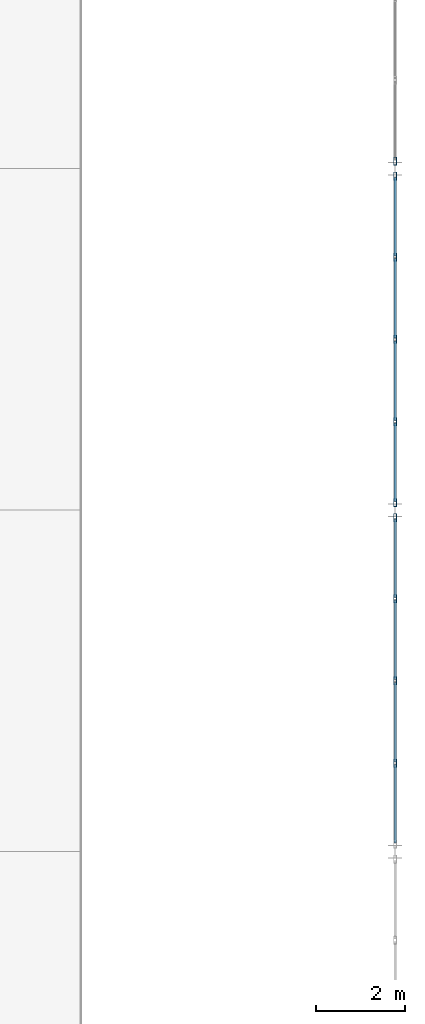
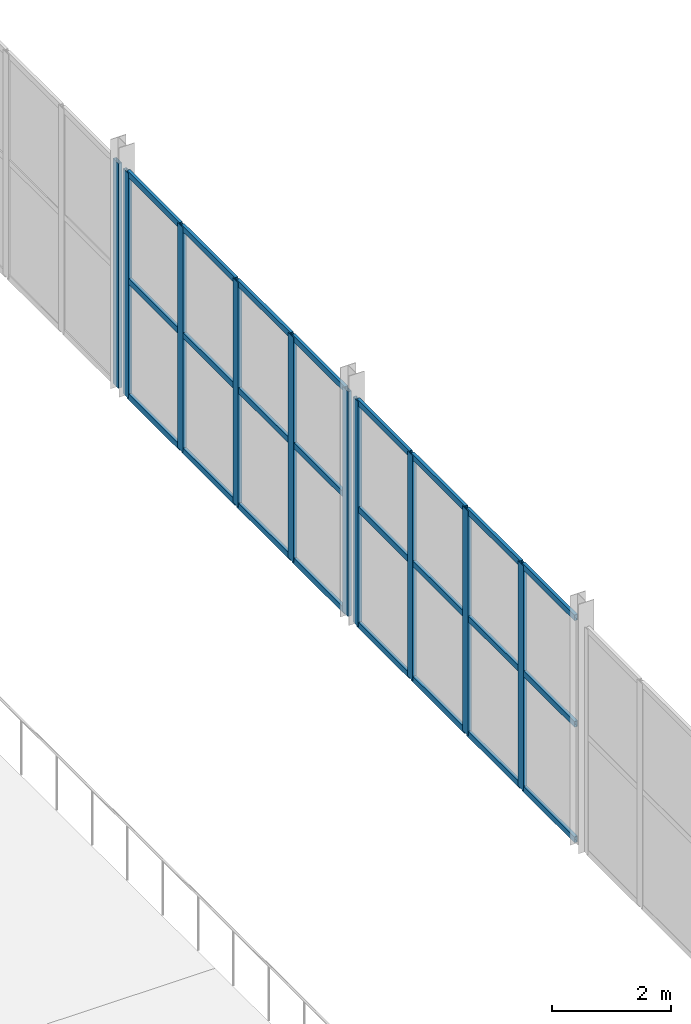
# One storey, part 135 of 218: 34 members, 3 elements without a shape of their own.
"""IFC4 building model written with IfcOpenShell, lengths in metres."""

import ifcopenshell
import ifcopenshell.guid

model = None  # the IFC model being written
_history = None  # IfcOwnerHistory: only IFC2X3 demands one
_inside = {}  # id of a spatial element -> (the spatial element, [elements in it])
_under = {}  # id of a project, library or spatial element -> (it, [spatial elements below it])
_declared = {}  # id of a project -> (the project, [libraries it declares])
_typed = {}  # id of a type object -> (the type object, [elements of that type])
_made_of = {}  # id of a material, layer set ... -> (it, [elements and type objects made of it])


def new_model(schema):
    """Start an empty IFC model of exactly this schema.

    Asked for "IFC4X3", IfcOpenShell would pick the latest addendum, in which some entities
    have other attributes; the version numbers below select the first issue.
    IFC2X3 requires an IfcOwnerHistory on every rooted entity: one is made here for all.
    """
    global model, _history
    if schema == "IFC4X3":
        model = ifcopenshell.file(schema_version=(4, 3, 0, 0))
    else:
        model = ifcopenshell.file(schema=schema)
    _inside.clear()
    _under.clear()
    _declared.clear()
    _typed.clear()
    _made_of.clear()
    _history = None
    if model.schema == "IFC2X3":
        org = make("IfcOrganization", Name="unknown")
        user = make(
            "IfcPersonAndOrganization",
            ThePerson=make("IfcPerson", FamilyName="unknown"),
            TheOrganization=org,
        )
        app = make(
            "IfcApplication",
            ApplicationDeveloper=org,
            Version="unknown",
            ApplicationFullName="unknown",
            ApplicationIdentifier="unknown",
        )
        _history = make(
            "IfcOwnerHistory",
            OwningUser=user,
            OwningApplication=app,
            ChangeAction="ADDED",
            CreationDate=0,
        )
    return model


def make(cls, **values):
    """One entity of the class cls with the attributes given. An attribute that is None is left unset."""
    return model.create_entity(
        cls, **{name: value for name, value in values.items() if value is not None}
    )


def rooted(cls, **values):
    """An entity with a GlobalId (a new one), such as an element, a storey or a relation."""
    return make(cls, GlobalId=ifcopenshell.guid.new(), OwnerHistory=_history, **values)


def si_unit(unit_type, name, prefix=None):
    """IfcSIUnit, for example si_unit("LENGTHUNIT", "METRE", prefix="MILLI")."""
    return make("IfcSIUnit", UnitType=unit_type, Prefix=prefix, Name=name)


def assignment(units):
    """IfcUnitAssignment: the units of a project."""
    return None if units is None else make("IfcUnitAssignment", Units=units)


def point(xyz):
    """IfcCartesianPoint."""
    return None if xyz is None else make("IfcCartesianPoint", Coordinates=xyz)


def direction(xyz):
    """IfcDirection."""
    return None if xyz is None else make("IfcDirection", DirectionRatios=xyz)


def frame(location, z_axis=None, x_axis=None):
    """IfcAxis2Placement3D, a coordinate frame: its origin and axes. An axis left out is left unset."""
    return make(
        "IfcAxis2Placement3D",
        Location=point(location),
        Axis=direction(z_axis),
        RefDirection=direction(x_axis),
    )


def frame_2d(location, x_axis=None):
    """IfcAxis2Placement2D, a coordinate frame in the plane: its origin and x axis."""
    return make(
        "IfcAxis2Placement2D", Location=point(location), RefDirection=direction(x_axis)
    )


def origin():
    """The frame at (0, 0, 0) with its axes left unset."""
    return frame((0.0, 0.0, 0.0))


def origin_2d():
    """The frame at (0, 0) in the plane with its x axis left unset."""
    return frame_2d((0.0, 0.0))


def place(relative_to, where):
    """IfcLocalPlacement: puts the frame where relative to a parent placement (None: the world)."""
    return make(
        "IfcLocalPlacement", PlacementRelTo=relative_to, RelativePlacement=where
    )


def context(
    kind, dimensions, precision=None, world=None, true_north=None, identifier=None
):
    """IfcGeometricRepresentationContext, for example the 3D "Model" context."""
    return make(
        "IfcGeometricRepresentationContext",
        ContextIdentifier=identifier,
        ContextType=kind,
        CoordinateSpaceDimension=dimensions,
        Precision=precision,
        WorldCoordinateSystem=world,
        TrueNorth=true_north,
    )


def subcontext(parent, identifier, kind, view, scale=None):
    """IfcGeometricRepresentationSubContext, for example "Body" below "Model"."""
    return make(
        "IfcGeometricRepresentationSubContext",
        ContextIdentifier=identifier,
        ContextType=kind,
        ParentContext=parent,
        TargetScale=scale,
        TargetView=view,
    )


def project(units=None, contexts=None):
    """IfcProject with its units and contexts."""
    return rooted(
        "IfcProject",
        Name="project",
        RepresentationContexts=contexts,
        UnitsInContext=assignment(units),
    )


def spatial(cls, under=None, at=None, **own):
    """A site, building, storey or space (cls), placed at a placement, below another one or the project."""
    s = rooted(cls, ObjectPlacement=at, **own)
    if under is not None:
        _under.setdefault(under.id(), (under, []))[1].append(s)
    return s


def profile(cls, at=None, kind="AREA", **sizes):
    """A parametric profile (cls). Its sizes go by their IFC names, for example OverallWidth=200.0."""
    return make(cls, ProfileType=kind, Position=at, **sizes)


def hollow_rectangle(**sizes):
    """IfcRectangleHollowProfileDef."""
    return profile("IfcRectangleHollowProfileDef", **sizes)


def extrude(swept, where, along, depth):
    """IfcExtrudedAreaSolid: the profile swept, set in the frame where, extruded along a direction by depth."""
    return make(
        "IfcExtrudedAreaSolid",
        SweptArea=swept,
        Position=where,
        ExtrudedDirection=direction(along),
        Depth=depth,
    )


def shape(context_of_items, identifier, shape_type, items):
    """IfcShapeRepresentation: the items that make up one representation, for example the "Body"."""
    return make(
        "IfcShapeRepresentation",
        ContextOfItems=context_of_items,
        RepresentationIdentifier=identifier,
        RepresentationType=shape_type,
        Items=items,
    )


def material(Name=None, Category=None):
    """IfcMaterial."""
    return make("IfcMaterial", Name=Name, Category=Category)


def material_profile(
    of_material, cross_section, Name=None, Category=None, Priority=None
):
    """IfcMaterialProfile: a cross section and its material."""
    return make(
        "IfcMaterialProfile",
        Name=Name,
        Material=of_material,
        Profile=cross_section,
        Priority=Priority,
        Category=Category,
    )


def profile_set(profiles, Name=None, composite=None):
    """IfcMaterialProfileSet."""
    return make(
        "IfcMaterialProfileSet",
        Name=Name,
        MaterialProfiles=profiles,
        CompositeProfile=composite,
    )


def made_of(thing, what):
    """Note that an element or type object is made of a material, layer set ...; save() writes the relation."""
    if what is not None:
        _made_of.setdefault(what.id(), (what, []))[1].append(thing)
    return thing


def type_object(cls, material=None, **own):
    """A type object (cls), such as IfcWallType, which elements share."""
    return made_of(rooted(cls, **own), material)


def element(
    cls,
    number,
    at=None,
    inside=None,
    cuts=None,
    type_object=None,
    material=None,
    context=None,
    identifier="Body",
    shape_type=None,
    held_by="IfcProductDefinitionShape",
    body=None,
    shapes=None,
    **own,
):
    """One element of the class cls, such as IfcWall. Its Tag is "e" and its number.

    at: its placement. inside: the storey or other place that contains it. cuts: it is an
    opening in that element (IfcRelVoidsElement). A single representation is given by context,
    identifier, shape_type and body (its items); several are given by shapes. held_by: the class
    of the entity that holds the representations. save() writes the other relations.
    """
    e = rooted(cls, Tag="e%d" % number, ObjectPlacement=at, **own)
    if body is not None:
        shapes = [shape(context, identifier, shape_type, body)]
    if shapes is not None:
        e.Representation = make(held_by, Representations=shapes)
    if inside is not None:
        _inside.setdefault(inside.id(), (inside, []))[1].append(e)
    if cuts is not None:
        rooted(
            "IfcRelVoidsElement", RelatingBuildingElement=cuts, RelatedOpeningElement=e
        )
    if type_object is not None:
        _typed.setdefault(type_object.id(), (type_object, []))[1].append(e)
    return made_of(e, material)


def aggregate(whole, parts):
    """IfcRelAggregates: a whole, such as a stair, and the parts it consists of."""
    return rooted("IfcRelAggregates", RelatingObject=whole, RelatedObjects=parts)


def save(model, path):
    """Write the relations noted so far, then the file.

    IfcRelAggregates (storeys below a building ...), IfcRelContainedInSpatialStructure (elements
    in a storey), IfcRelDefinesByType, IfcRelAssociatesMaterial and IfcRelDeclares: one each for
    every whole, place, type object, material and project.
    """
    for whole, parts in _under.values():
        aggregate(whole, parts)
    for where, things in _inside.values():
        rooted(
            "IfcRelContainedInSpatialStructure",
            RelatedElements=things,
            RelatingStructure=where,
        )
    for kind, things in _typed.values():
        rooted("IfcRelDefinesByType", RelatedObjects=things, RelatingType=kind)
    for what, things in _made_of.values():
        rooted("IfcRelAssociatesMaterial", RelatedObjects=things, RelatingMaterial=what)
    for by, libraries in _declared.values():
        rooted("IfcRelDeclares", RelatingContext=by, RelatedDefinitions=libraries)
    model.write(path)


model = new_model("IFC4")

# Units and contexts
model_context = context("Model", 3, precision=1e-05, world=origin(), true_north=direction((0.0, 1.0)))
body_context = subcontext(model_context, "Body", "Model", "MODEL_VIEW")
ifc_project = project(units=[si_unit("LENGTHUNIT", "METRE"), si_unit("AREAUNIT", "SQUARE_METRE"), si_unit("VOLUMEUNIT", "CUBIC_METRE"), si_unit("PLANEANGLEUNIT", "RADIAN"), si_unit("MASSUNIT", "GRAM", prefix="KILO")], contexts=[model_context])

# Site, building, storey
site_placement = place(None, origin())
site = spatial("IfcSite", under=ifc_project, at=site_placement, CompositionType="ELEMENT")
building_placement = place(site_placement, origin())
building = spatial("IfcBuilding", under=site, at=building_placement, Name="Kazenagashi Tramway Depot", CompositionType="ELEMENT")
storey_placement = place(building_placement, frame((0.0, 0.0, 6.0)))
storey = spatial("IfcBuildingStorey", under=building, at=storey_placement, Name="L02", CompositionType="ELEMENT", Elevation=6.0)

# Curtain wall, members
ifc_material_1 = material(Name="Anodised Aluminium and Low-E Glazing", Category="aluminium")
curtain_wall_type = type_object("IfcCurtainWallType", Name="CW-23", PredefinedType="USERDEFINED", material=ifc_material_1)
curtain_wall_1_placement = place(storey_placement, origin())
curtain_wall_1 = element("IfcCurtainWall", 1, at=curtain_wall_1_placement, inside=storey, type_object=curtain_wall_type, Name="Industrial Glazed Screen CW-23 CW-0129", ObjectType="GLAZED SCREEN", PredefinedType="USERDEFINED")
ifc_material_2 = material(Name="Anodised Aluminium", Category="aluminium")
ifc_material_profile_1 = material_profile(ifc_material_2, hollow_rectangle(XDim=0.07, YDim=0.18, WallThickness=0.005, at=origin_2d()), Name="RHS-180x70x5")
ifc_profile_set_1 = profile_set([ifc_material_profile_1], Name="Anodised Aluminium")
member_type_1 = type_object("IfcMemberType", Name="ML-02", PredefinedType="MULLION", material=ifc_profile_set_1)
member_1_placement = place(storey_placement, frame((196.0, 32.795, 0.0), z_axis=(0.0, 0.0, 1.0), x_axis=(-1.0, 0.0, 0.0)))
member_1 = element("IfcMember", 2, at=member_1_placement, type_object=member_type_1, Name="CW-23 mullion 2", PredefinedType="MULLION", context=body_context, shape_type="SweptSolid", body=[
    extrude(hollow_rectangle(XDim=0.07, YDim=0.18, WallThickness=0.005, at=origin_2d()), origin(), (0.0, 0.0, 1.0), 4.6),
])
member_2_placement = place(storey_placement, frame((196.0, 34.65, 0.0), z_axis=(0.0, 0.0, 1.0), x_axis=(-1.0, 0.0, 0.0)))
member_2 = element("IfcMember", 3, at=member_2_placement, type_object=member_type_1, Name="CW-23 mullion 3", PredefinedType="MULLION", context=body_context, shape_type="SweptSolid", body=[
    extrude(hollow_rectangle(XDim=0.07, YDim=0.18, WallThickness=0.005, at=origin_2d()), origin(), (0.0, 0.0, 1.0), 4.6),
])
member_3_placement = place(storey_placement, frame((196.0, 36.505, 0.0), z_axis=(0.0, 0.0, 1.0), x_axis=(-1.0, 0.0, 0.0)))
member_3 = element("IfcMember", 4, at=member_3_placement, type_object=member_type_1, Name="CW-23 mullion 4", PredefinedType="MULLION", context=body_context, shape_type="SweptSolid", body=[
    extrude(hollow_rectangle(XDim=0.07, YDim=0.18, WallThickness=0.005, at=origin_2d()), origin(), (0.0, 0.0, 1.0), 4.6),
])
member_4_placement = place(storey_placement, frame((196.0, 38.33, 0.0), z_axis=(0.0, 0.0, 1.0), x_axis=(-1.0, 0.0, 0.0)))
member_4 = element("IfcMember", 5, at=member_4_placement, type_object=member_type_1, Name="CW-23 mullion 5", PredefinedType="MULLION", context=body_context, shape_type="SweptSolid", body=[
    extrude(hollow_rectangle(XDim=0.07, YDim=0.18, WallThickness=0.005, at=origin_2d()), origin(), (0.0, 0.0, 1.0), 4.6),
])

curtain_wall_2_placement = place(storey_placement, origin())
curtain_wall_2 = element("IfcCurtainWall", 6, at=curtain_wall_2_placement, inside=storey, type_object=curtain_wall_type, Name="Industrial Glazed Screen CW-23 CW-0130", ObjectType="GLAZED SCREEN", PredefinedType="USERDEFINED")
member_5_placement = place(storey_placement, frame((196.0, 38.67, 0.0), z_axis=(0.0, 0.0, 1.0), x_axis=(-1.0, 0.0, 0.0)))
member_5 = element("IfcMember", 7, at=member_5_placement, type_object=member_type_1, Name="CW-23 mullion 1", PredefinedType="MULLION", context=body_context, shape_type="SweptSolid", body=[
    extrude(hollow_rectangle(XDim=0.07, YDim=0.18, WallThickness=0.005, at=origin_2d()), origin(), (0.0, 0.0, 1.0), 4.6),
])
member_6_placement = place(storey_placement, frame((196.0, 40.495, 0.0), z_axis=(0.0, 0.0, 1.0), x_axis=(-1.0, 0.0, 0.0)))
member_6 = element("IfcMember", 8, at=member_6_placement, type_object=member_type_1, Name="CW-23 mullion 2", PredefinedType="MULLION", context=body_context, shape_type="SweptSolid", body=[
    extrude(hollow_rectangle(XDim=0.07, YDim=0.18, WallThickness=0.005, at=origin_2d()), origin(), (0.0, 0.0, 1.0), 4.6),
])
member_7_placement = place(storey_placement, frame((196.0, 42.35, 0.0), z_axis=(0.0, 0.0, 1.0), x_axis=(-1.0, 0.0, 0.0)))
member_7 = element("IfcMember", 9, at=member_7_placement, type_object=member_type_1, Name="CW-23 mullion 3", PredefinedType="MULLION", context=body_context, shape_type="SweptSolid", body=[
    extrude(hollow_rectangle(XDim=0.07, YDim=0.18, WallThickness=0.005, at=origin_2d()), origin(), (0.0, 0.0, 1.0), 4.6),
])
member_8_placement = place(storey_placement, frame((196.0, 44.205, 0.0), z_axis=(0.0, 0.0, 1.0), x_axis=(-1.0, 0.0, 0.0)))
member_8 = element("IfcMember", 10, at=member_8_placement, type_object=member_type_1, Name="CW-23 mullion 4", PredefinedType="MULLION", context=body_context, shape_type="SweptSolid", body=[
    extrude(hollow_rectangle(XDim=0.07, YDim=0.18, WallThickness=0.005, at=origin_2d()), origin(), (0.0, 0.0, 1.0), 4.6),
])
member_9_placement = place(storey_placement, frame((196.0, 46.03, 0.0), z_axis=(0.0, 0.0, 1.0), x_axis=(-1.0, 0.0, 0.0)))
member_9 = element("IfcMember", 11, at=member_9_placement, type_object=member_type_1, Name="CW-23 mullion 5", PredefinedType="MULLION", context=body_context, shape_type="SweptSolid", body=[
    extrude(hollow_rectangle(XDim=0.07, YDim=0.18, WallThickness=0.005, at=origin_2d()), origin(), (0.0, 0.0, 1.0), 4.6),
])

# Curtain wall, member
curtain_wall_3_placement = place(storey_placement, origin())
curtain_wall_3 = element("IfcCurtainWall", 12, at=curtain_wall_3_placement, inside=storey, type_object=curtain_wall_type, Name="Industrial Glazed Screen CW-23 CW-0131", ObjectType="GLAZED SCREEN", PredefinedType="USERDEFINED")
member_10_placement = place(storey_placement, frame((196.0, 46.37, 0.0), z_axis=(0.0, 0.0, 1.0), x_axis=(-1.0, 0.0, 0.0)))
member_10 = element("IfcMember", 13, at=member_10_placement, type_object=member_type_1, Name="CW-23 mullion 1", PredefinedType="MULLION", context=body_context, shape_type="SweptSolid", body=[
    extrude(hollow_rectangle(XDim=0.07, YDim=0.18, WallThickness=0.005, at=origin_2d()), origin(), (0.0, 0.0, 1.0), 4.6),
])
aggregate(curtain_wall_3, [member_10])

# Member
ifc_material_profile_2 = material_profile(ifc_material_2, hollow_rectangle(XDim=0.06, YDim=0.12, WallThickness=0.004, at=origin_2d()), Name="RHS-120x60x4")
ifc_profile_set_2 = profile_set([ifc_material_profile_2], Name="Anodised Aluminium")
member_type_2 = type_object("IfcMemberType", Name="TR-01", PredefinedType="USERDEFINED", material=ifc_profile_set_2)
member_11_placement = place(storey_placement, frame((196.0, 31.0, 0.03), z_axis=(0.0, 1.0, 0.0), x_axis=(-1.0, 0.0, 0.0)))
member_11 = element("IfcMember", 14, at=member_11_placement, type_object=member_type_2, Name="CW-23 transom 1.1", ObjectType="TRANSOM", PredefinedType="USERDEFINED", context=body_context, shape_type="SweptSolid", body=[
    extrude(hollow_rectangle(XDim=0.06, YDim=0.12, WallThickness=0.004, at=origin_2d()), origin(), (0.0, 0.0, 1.0), 1.765),
])

member_12_placement = place(storey_placement, frame((196.0, 31.0, 2.392), z_axis=(0.0, 1.0, 0.0), x_axis=(-1.0, 0.0, 0.0)))
member_12 = element("IfcMember", 15, at=member_12_placement, type_object=member_type_2, Name="CW-23 transom 1.2", ObjectType="TRANSOM", PredefinedType="USERDEFINED", context=body_context, shape_type="SweptSolid", body=[
    extrude(hollow_rectangle(XDim=0.06, YDim=0.12, WallThickness=0.004, at=origin_2d()), origin(), (0.0, 0.0, 1.0), 1.765),
])

member_13_placement = place(storey_placement, frame((196.0, 31.0, 4.57), z_axis=(0.0, 1.0, 0.0), x_axis=(-1.0, 0.0, 0.0)))
member_13 = element("IfcMember", 16, at=member_13_placement, type_object=member_type_2, Name="CW-23 transom 1.3", ObjectType="TRANSOM", PredefinedType="USERDEFINED", context=body_context, shape_type="SweptSolid", body=[
    extrude(hollow_rectangle(XDim=0.06, YDim=0.12, WallThickness=0.004, at=origin_2d()), origin(), (0.0, 0.0, 1.0), 1.765),
])

member_14_placement = place(storey_placement, frame((196.0, 32.825, 0.03), z_axis=(0.0, 1.0, 0.0), x_axis=(-1.0, 0.0, 0.0)))
member_14 = element("IfcMember", 17, at=member_14_placement, type_object=member_type_2, Name="CW-23 transom 2.1", ObjectType="TRANSOM", PredefinedType="USERDEFINED", context=body_context, shape_type="SweptSolid", body=[
    extrude(hollow_rectangle(XDim=0.06, YDim=0.12, WallThickness=0.004, at=origin_2d()), origin(), (0.0, 0.0, 1.0), 1.795),
])

member_15_placement = place(storey_placement, frame((196.0, 32.825, 2.392), z_axis=(0.0, 1.0, 0.0), x_axis=(-1.0, 0.0, 0.0)))
member_15 = element("IfcMember", 18, at=member_15_placement, type_object=member_type_2, Name="CW-23 transom 2.2", ObjectType="TRANSOM", PredefinedType="USERDEFINED", context=body_context, shape_type="SweptSolid", body=[
    extrude(hollow_rectangle(XDim=0.06, YDim=0.12, WallThickness=0.004, at=origin_2d()), origin(), (0.0, 0.0, 1.0), 1.795),
])

member_16_placement = place(storey_placement, frame((196.0, 32.825, 4.57), z_axis=(0.0, 1.0, 0.0), x_axis=(-1.0, 0.0, 0.0)))
member_16 = element("IfcMember", 19, at=member_16_placement, type_object=member_type_2, Name="CW-23 transom 2.3", ObjectType="TRANSOM", PredefinedType="USERDEFINED", context=body_context, shape_type="SweptSolid", body=[
    extrude(hollow_rectangle(XDim=0.06, YDim=0.12, WallThickness=0.004, at=origin_2d()), origin(), (0.0, 0.0, 1.0), 1.795),
])

member_17_placement = place(storey_placement, frame((196.0, 34.68, 0.03), z_axis=(0.0, 1.0, 0.0), x_axis=(-1.0, 0.0, 0.0)))
member_17 = element("IfcMember", 20, at=member_17_placement, type_object=member_type_2, Name="CW-23 transom 3.1", ObjectType="TRANSOM", PredefinedType="USERDEFINED", context=body_context, shape_type="SweptSolid", body=[
    extrude(hollow_rectangle(XDim=0.06, YDim=0.12, WallThickness=0.004, at=origin_2d()), origin(), (0.0, 0.0, 1.0), 1.795),
])

member_18_placement = place(storey_placement, frame((196.0, 34.68, 2.392), z_axis=(0.0, 1.0, 0.0), x_axis=(-1.0, 0.0, 0.0)))
member_18 = element("IfcMember", 21, at=member_18_placement, type_object=member_type_2, Name="CW-23 transom 3.2", ObjectType="TRANSOM", PredefinedType="USERDEFINED", context=body_context, shape_type="SweptSolid", body=[
    extrude(hollow_rectangle(XDim=0.06, YDim=0.12, WallThickness=0.004, at=origin_2d()), origin(), (0.0, 0.0, 1.0), 1.795),
])

member_19_placement = place(storey_placement, frame((196.0, 34.68, 4.57), z_axis=(0.0, 1.0, 0.0), x_axis=(-1.0, 0.0, 0.0)))
member_19 = element("IfcMember", 22, at=member_19_placement, type_object=member_type_2, Name="CW-23 transom 3.3", ObjectType="TRANSOM", PredefinedType="USERDEFINED", context=body_context, shape_type="SweptSolid", body=[
    extrude(hollow_rectangle(XDim=0.06, YDim=0.12, WallThickness=0.004, at=origin_2d()), origin(), (0.0, 0.0, 1.0), 1.795),
])

member_20_placement = place(storey_placement, frame((196.0, 36.535, 0.03), z_axis=(0.0, 1.0, 0.0), x_axis=(-1.0, 0.0, 0.0)))
member_20 = element("IfcMember", 23, at=member_20_placement, type_object=member_type_2, Name="CW-23 transom 4.1", ObjectType="TRANSOM", PredefinedType="USERDEFINED", context=body_context, shape_type="SweptSolid", body=[
    extrude(hollow_rectangle(XDim=0.06, YDim=0.12, WallThickness=0.004, at=origin_2d()), origin(), (0.0, 0.0, 1.0), 1.765),
])

member_21_placement = place(storey_placement, frame((196.0, 36.535, 2.392), z_axis=(0.0, 1.0, 0.0), x_axis=(-1.0, 0.0, 0.0)))
member_21 = element("IfcMember", 24, at=member_21_placement, type_object=member_type_2, Name="CW-23 transom 4.2", ObjectType="TRANSOM", PredefinedType="USERDEFINED", context=body_context, shape_type="SweptSolid", body=[
    extrude(hollow_rectangle(XDim=0.06, YDim=0.12, WallThickness=0.004, at=origin_2d()), origin(), (0.0, 0.0, 1.0), 1.765),
])

member_22_placement = place(storey_placement, frame((196.0, 36.535, 4.57), z_axis=(0.0, 1.0, 0.0), x_axis=(-1.0, 0.0, 0.0)))
member_22 = element("IfcMember", 25, at=member_22_placement, type_object=member_type_2, Name="CW-23 transom 4.3", ObjectType="TRANSOM", PredefinedType="USERDEFINED", context=body_context, shape_type="SweptSolid", body=[
    extrude(hollow_rectangle(XDim=0.06, YDim=0.12, WallThickness=0.004, at=origin_2d()), origin(), (0.0, 0.0, 1.0), 1.765),
])

aggregate(curtain_wall_1, [member_1, member_2, member_3, member_4, member_11, member_12, member_13, member_14, member_15, member_16, member_17, member_18, member_19, member_20, member_21, member_22])

member_23_placement = place(storey_placement, frame((196.0, 38.7, 0.03), z_axis=(0.0, 1.0, 0.0), x_axis=(-1.0, 0.0, 0.0)))
member_23 = element("IfcMember", 26, at=member_23_placement, type_object=member_type_2, Name="CW-23 transom 1.1", ObjectType="TRANSOM", PredefinedType="USERDEFINED", context=body_context, shape_type="SweptSolid", body=[
    extrude(hollow_rectangle(XDim=0.06, YDim=0.12, WallThickness=0.004, at=origin_2d()), origin(), (0.0, 0.0, 1.0), 1.765),
])

member_24_placement = place(storey_placement, frame((196.0, 38.7, 2.392), z_axis=(0.0, 1.0, 0.0), x_axis=(-1.0, 0.0, 0.0)))
member_24 = element("IfcMember", 27, at=member_24_placement, type_object=member_type_2, Name="CW-23 transom 1.2", ObjectType="TRANSOM", PredefinedType="USERDEFINED", context=body_context, shape_type="SweptSolid", body=[
    extrude(hollow_rectangle(XDim=0.06, YDim=0.12, WallThickness=0.004, at=origin_2d()), origin(), (0.0, 0.0, 1.0), 1.765),
])

member_25_placement = place(storey_placement, frame((196.0, 38.7, 4.57), z_axis=(0.0, 1.0, 0.0), x_axis=(-1.0, 0.0, 0.0)))
member_25 = element("IfcMember", 28, at=member_25_placement, type_object=member_type_2, Name="CW-23 transom 1.3", ObjectType="TRANSOM", PredefinedType="USERDEFINED", context=body_context, shape_type="SweptSolid", body=[
    extrude(hollow_rectangle(XDim=0.06, YDim=0.12, WallThickness=0.004, at=origin_2d()), origin(), (0.0, 0.0, 1.0), 1.765),
])

member_26_placement = place(storey_placement, frame((196.0, 40.525, 0.03), z_axis=(0.0, 1.0, 0.0), x_axis=(-1.0, 0.0, 0.0)))
member_26 = element("IfcMember", 29, at=member_26_placement, type_object=member_type_2, Name="CW-23 transom 2.1", ObjectType="TRANSOM", PredefinedType="USERDEFINED", context=body_context, shape_type="SweptSolid", body=[
    extrude(hollow_rectangle(XDim=0.06, YDim=0.12, WallThickness=0.004, at=origin_2d()), origin(), (0.0, 0.0, 1.0), 1.795),
])

member_27_placement = place(storey_placement, frame((196.0, 40.525, 2.392), z_axis=(0.0, 1.0, 0.0), x_axis=(-1.0, 0.0, 0.0)))
member_27 = element("IfcMember", 30, at=member_27_placement, type_object=member_type_2, Name="CW-23 transom 2.2", ObjectType="TRANSOM", PredefinedType="USERDEFINED", context=body_context, shape_type="SweptSolid", body=[
    extrude(hollow_rectangle(XDim=0.06, YDim=0.12, WallThickness=0.004, at=origin_2d()), origin(), (0.0, 0.0, 1.0), 1.795),
])

member_28_placement = place(storey_placement, frame((196.0, 40.525, 4.57), z_axis=(0.0, 1.0, 0.0), x_axis=(-1.0, 0.0, 0.0)))
member_28 = element("IfcMember", 31, at=member_28_placement, type_object=member_type_2, Name="CW-23 transom 2.3", ObjectType="TRANSOM", PredefinedType="USERDEFINED", context=body_context, shape_type="SweptSolid", body=[
    extrude(hollow_rectangle(XDim=0.06, YDim=0.12, WallThickness=0.004, at=origin_2d()), origin(), (0.0, 0.0, 1.0), 1.795),
])

member_29_placement = place(storey_placement, frame((196.0, 42.38, 0.03), z_axis=(0.0, 1.0, 0.0), x_axis=(-1.0, 0.0, 0.0)))
member_29 = element("IfcMember", 32, at=member_29_placement, type_object=member_type_2, Name="CW-23 transom 3.1", ObjectType="TRANSOM", PredefinedType="USERDEFINED", context=body_context, shape_type="SweptSolid", body=[
    extrude(hollow_rectangle(XDim=0.06, YDim=0.12, WallThickness=0.004, at=origin_2d()), origin(), (0.0, 0.0, 1.0), 1.795),
])

member_30_placement = place(storey_placement, frame((196.0, 42.38, 2.392), z_axis=(0.0, 1.0, 0.0), x_axis=(-1.0, 0.0, 0.0)))
member_30 = element("IfcMember", 33, at=member_30_placement, type_object=member_type_2, Name="CW-23 transom 3.2", ObjectType="TRANSOM", PredefinedType="USERDEFINED", context=body_context, shape_type="SweptSolid", body=[
    extrude(hollow_rectangle(XDim=0.06, YDim=0.12, WallThickness=0.004, at=origin_2d()), origin(), (0.0, 0.0, 1.0), 1.795),
])

member_31_placement = place(storey_placement, frame((196.0, 42.38, 4.57), z_axis=(0.0, 1.0, 0.0), x_axis=(-1.0, 0.0, 0.0)))
member_31 = element("IfcMember", 34, at=member_31_placement, type_object=member_type_2, Name="CW-23 transom 3.3", ObjectType="TRANSOM", PredefinedType="USERDEFINED", context=body_context, shape_type="SweptSolid", body=[
    extrude(hollow_rectangle(XDim=0.06, YDim=0.12, WallThickness=0.004, at=origin_2d()), origin(), (0.0, 0.0, 1.0), 1.795),
])

member_32_placement = place(storey_placement, frame((196.0, 44.235, 0.03), z_axis=(0.0, 1.0, 0.0), x_axis=(-1.0, 0.0, 0.0)))
member_32 = element("IfcMember", 35, at=member_32_placement, type_object=member_type_2, Name="CW-23 transom 4.1", ObjectType="TRANSOM", PredefinedType="USERDEFINED", context=body_context, shape_type="SweptSolid", body=[
    extrude(hollow_rectangle(XDim=0.06, YDim=0.12, WallThickness=0.004, at=origin_2d()), origin(), (0.0, 0.0, 1.0), 1.765),
])

member_33_placement = place(storey_placement, frame((196.0, 44.235, 2.392), z_axis=(0.0, 1.0, 0.0), x_axis=(-1.0, 0.0, 0.0)))
member_33 = element("IfcMember", 36, at=member_33_placement, type_object=member_type_2, Name="CW-23 transom 4.2", ObjectType="TRANSOM", PredefinedType="USERDEFINED", context=body_context, shape_type="SweptSolid", body=[
    extrude(hollow_rectangle(XDim=0.06, YDim=0.12, WallThickness=0.004, at=origin_2d()), origin(), (0.0, 0.0, 1.0), 1.765),
])

member_34_placement = place(storey_placement, frame((196.0, 44.235, 4.57), z_axis=(0.0, 1.0, 0.0), x_axis=(-1.0, 0.0, 0.0)))
member_34 = element("IfcMember", 37, at=member_34_placement, type_object=member_type_2, Name="CW-23 transom 4.3", ObjectType="TRANSOM", PredefinedType="USERDEFINED", context=body_context, shape_type="SweptSolid", body=[
    extrude(hollow_rectangle(XDim=0.06, YDim=0.12, WallThickness=0.004, at=origin_2d()), origin(), (0.0, 0.0, 1.0), 1.765),
])

aggregate(curtain_wall_2, [member_5, member_6, member_7, member_8, member_9, member_23, member_24, member_25, member_26, member_27, member_28, member_29, member_30, member_31, member_32, member_33, member_34])

save(model, "model.ifc")
